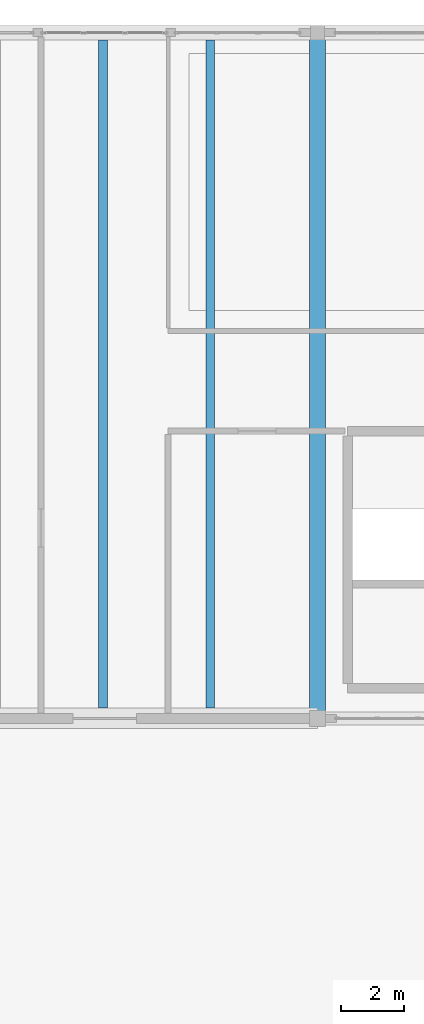
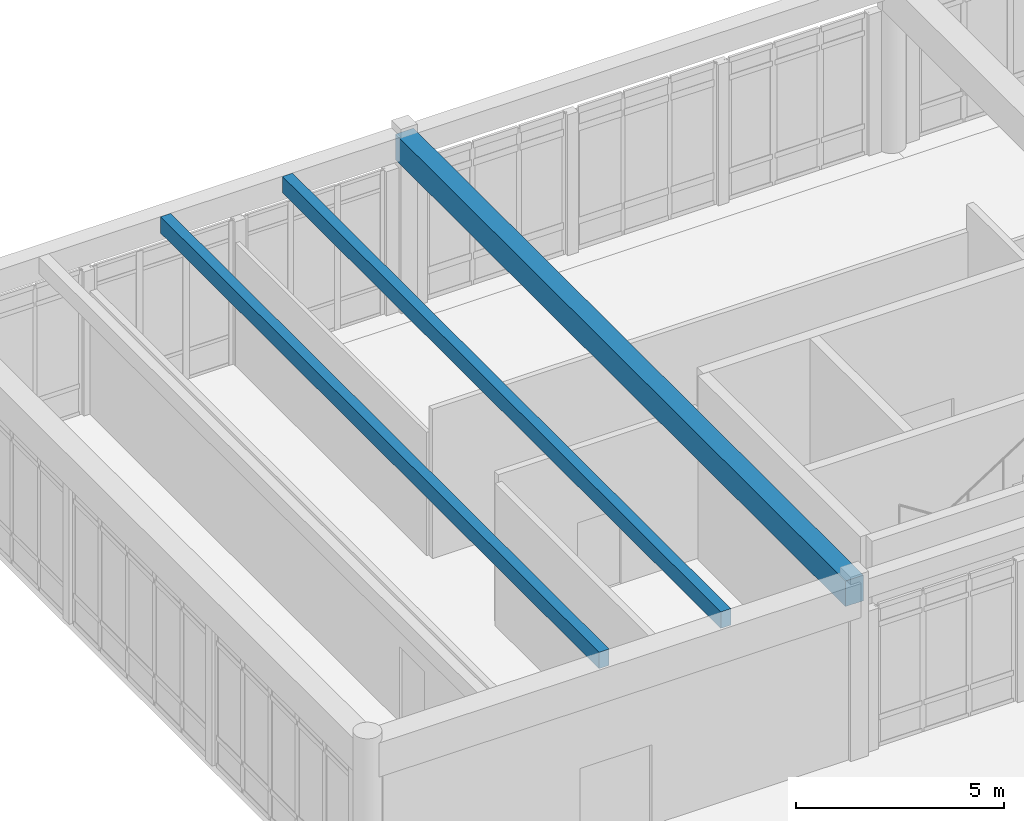
# One storey, part 48 of 138: 3 beams.
"""IFC4 building model written with IfcOpenShell, lengths in metres."""

from ifc_helpers import new_model, si_unit, direction, frame, origin, origin_2d, place, context, subcontext, project, spatial, rectangle, extrude, material, material_profile, profile_set, type_object, element, save


model = new_model("IFC4")

# Units and contexts
model_context = context("Model", 3, precision=1e-05, world=origin(), true_north=direction((0.0, 1.0)))
body_context = subcontext(model_context, "Body", "Model", "MODEL_VIEW")
ifc_project = project(units=[si_unit("LENGTHUNIT", "METRE"), si_unit("AREAUNIT", "SQUARE_METRE"), si_unit("VOLUMEUNIT", "CUBIC_METRE"), si_unit("PLANEANGLEUNIT", "RADIAN"), si_unit("MASSUNIT", "GRAM", prefix="KILO")], contexts=[model_context])

# Site, building, storey
site_placement = place(None, origin())
site = spatial("IfcSite", under=ifc_project, at=site_placement, CompositionType="ELEMENT")
building_placement = place(site_placement, origin())
building = spatial("IfcBuilding", under=site, at=building_placement, Name="Fikremerkos Civic Library", CompositionType="ELEMENT")
storey_placement = place(building_placement, origin())
storey = spatial("IfcBuildingStorey", under=building, at=storey_placement, Name="L00", CompositionType="ELEMENT", Elevation=0.0)

# Beams
ifc_material = material(Name="Concrete C40/50", Category="concrete")
ifc_material_profile_1 = material_profile(ifc_material, rectangle(XDim=0.280029296875, YDim=0.47998046875, at=origin_2d()), Name="RC 280x480")
ifc_profile_set_1 = profile_set([ifc_material_profile_1], Name="Concrete C40/50")
beam_type_1 = type_object("IfcBeamType", Name="Floor joist JS-04 RC 280x480", PredefinedType="JOIST", material=ifc_profile_set_1)
for number, where, z_axis, x_axis, name in (
    (1, (66.449951171875, 96.324951171875, 4.93994140625), (0.0, 1.0, 0.0), (-1.0, 0.0, 0.0), "Floor joist JS-04 L00 #317"),
    (2, (69.824951171875, 96.324951171875, 4.93994140625), (0.0, 1.0, 0.0), (-1.0, 0.0, 0.0), "Floor joist JS-04 L00 #318"),
):
    element("IfcBeam", number, at=place(storey_placement, frame(where, z_axis=z_axis, x_axis=x_axis)), inside=storey, type_object=beam_type_1, Name=name, PredefinedType="JOIST", context=body_context, shape_type="SweptSolid", body=[
        extrude(rectangle(XDim=0.280029296875, YDim=0.47998046875, at=origin_2d()), origin(), (0.0, 0.0, 1.0), 21.050048828125),
    ])
ifc_material_profile_2 = material_profile(ifc_material, rectangle(XDim=0.5, YDim=0.75, at=origin_2d()), Name="RC 500x750")
ifc_profile_set_2 = profile_set([ifc_material_profile_2], Name="Concrete C40/50")
beam_type_2 = type_object("IfcBeamType", Name="Primary girder BM-05 RC 500x750", PredefinedType="BEAM", material=ifc_profile_set_2)
beam_placement = place(storey_placement, frame((73.199951171875, 96.0, 4.764892578125), z_axis=(0.0, 1.0, 0.0), x_axis=(-1.0, 0.0, 0.0)))
element("IfcBeam", 3, at=beam_placement, inside=storey, type_object=beam_type_2, Name="Primary girder BM-05 L00 grid 7", PredefinedType="BEAM", context=body_context, shape_type="SweptSolid", body=[
    extrude(rectangle(XDim=0.5, YDim=0.75, at=origin_2d()), origin(), (0.0, 0.0, 1.0), 21.60009765625),
])

save(model, "model.ifc")
